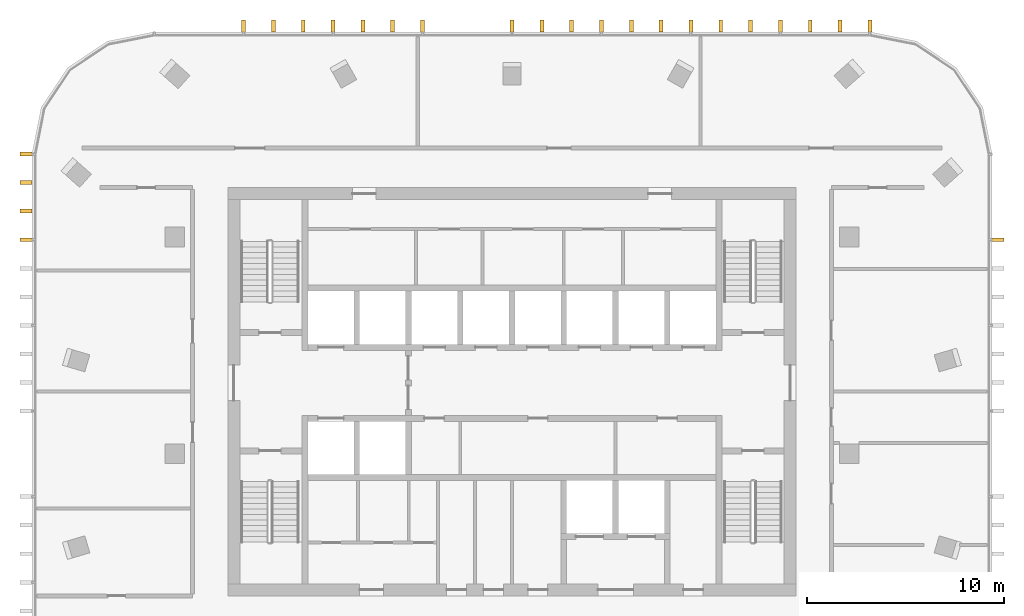
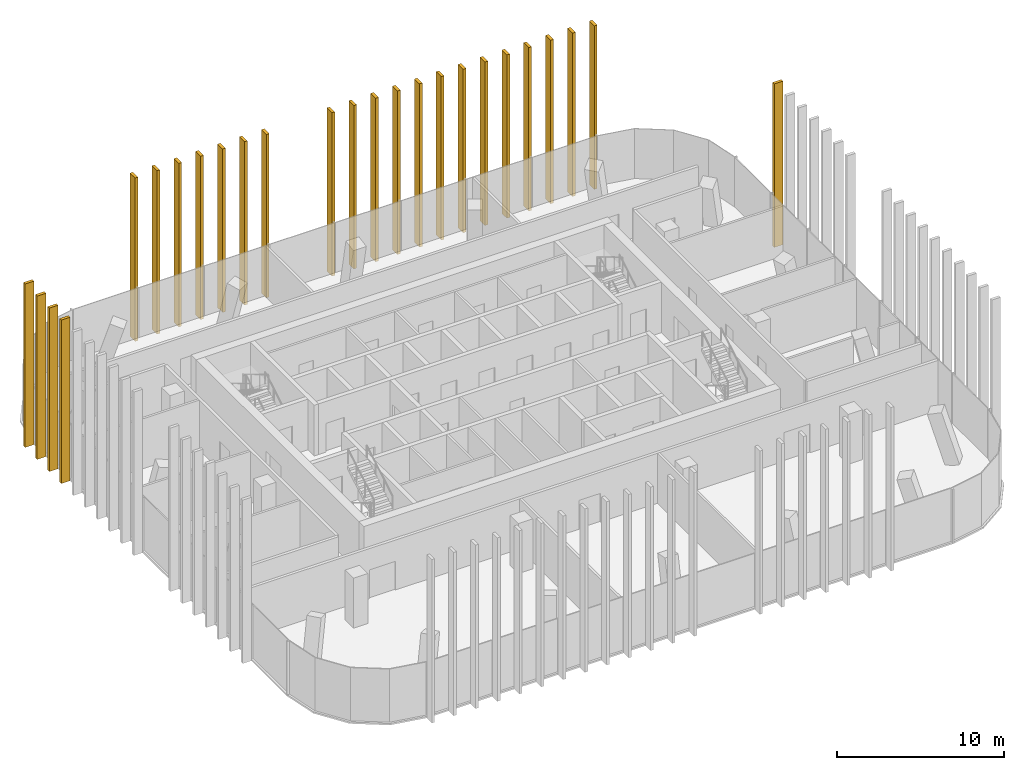
# One storey, part 13 of 13: 25 shading devices.
"""IFC4 building model written with IfcOpenShell, lengths in metres."""

from ifc_helpers import new_model, si_unit, direction, frame, origin, origin_2d, place, context, subcontext, project, spatial, rectangle, extrude, material, type_object, element, save


model = new_model("IFC4")

# Units and contexts
model_context = context("Model", 3, precision=1e-05, world=origin(), true_north=direction((0.0, 1.0)))
body_context = subcontext(model_context, "Body", "Model", "MODEL_VIEW")
ifc_project = project(units=[si_unit("LENGTHUNIT", "METRE"), si_unit("AREAUNIT", "SQUARE_METRE"), si_unit("VOLUMEUNIT", "CUBIC_METRE"), si_unit("PLANEANGLEUNIT", "RADIAN"), si_unit("MASSUNIT", "GRAM", prefix="KILO")], contexts=[model_context])

# Site, building, storey
site_placement = place(None, origin())
site = spatial("IfcSite", under=ifc_project, at=site_placement, CompositionType="ELEMENT")
building_placement = place(site_placement, origin())
building = spatial("IfcBuilding", under=site, at=building_placement, Name="Mopane Tessera Tower", CompositionType="ELEMENT")
storey_placement = place(building_placement, frame((0.0, 0.0, 345.39990234375)))
storey = spatial("IfcBuildingStorey", under=building, at=storey_placement, Name="L75", CompositionType="ELEMENT", Elevation=345.39990234375)

# Shading devices
ifc_material = material(Name="Glazed ceramic tile")
shading_device_type = type_object("IfcShadingDeviceType", Name="Ceramic tile fin 600 x 200 mm", PredefinedType="USERDEFINED", material=ifc_material)
for number, where, z_axis, x_axis, name in (
    (1, (24.64990234375, 10.857177734375, -0.35009765625), (0.0, 0.0, 1.0), (0.0, 1.0, 0.0), "e:fin:L75:E:5:3"),
    (2, (18.14990234375, 21.699951171875, -0.35009765625), (0.0, 0.0, 1.0), (-1.0, 0.0, 0.0), "e:fin:L75:N:0:0"),
    (3, (16.637451171875, 21.699951171875, -0.35009765625), (0.0, 0.0, 1.0), (-1.0, 0.0, 0.0), "e:fin:L75:N:0:1"),
    (4, (15.125, 21.699951171875, -0.35009765625), (0.0, 0.0, 1.0), (-1.0, 0.0, 0.0), "e:fin:L75:N:0:2"),
    (5, (13.612548828125, 21.699951171875, -0.35009765625), (0.0, 0.0, 1.0), (-1.0, 0.0, 0.0), "e:fin:L75:N:1:0"),
    (6, (12.10009765625, 21.699951171875, -0.35009765625), (0.0, 0.0, 1.0), (-1.0, 0.0, 0.0), "e:fin:L75:N:1:1"),
    (7, (10.58740234375, 21.699951171875, -0.35009765625), (0.0, 0.0, 1.0), (-1.0, 0.0, 0.0), "e:fin:L75:N:1:2"),
    (8, (9.074951171875, 21.699951171875, -0.35009765625), (0.0, 0.0, 1.0), (-1.0, 0.0, 0.0), "e:fin:L75:N:2:0"),
    (9, (7.5625, 21.699951171875, -0.35009765625), (0.0, 0.0, 1.0), (-1.0, 0.0, 0.0), "e:fin:L75:N:2:1"),
    (10, (6.050048828125, 21.699951171875, -0.35009765625), (0.0, 0.0, 1.0), (-1.0, 0.0, 0.0), "e:fin:L75:N:2:2"),
    (11, (4.53759765625, 21.699951171875, -0.35009765625), (0.0, 0.0, 1.0), (-1.0, 0.0, 0.0), "e:fin:L75:N:3:0"),
    (12, (3.02490234375, 21.699951171875, -0.35009765625), (0.0, 0.0, 1.0), (-1.0, 0.0, 0.0), "e:fin:L75:N:3:1"),
    (13, (1.512451171875, 21.699951171875, -0.35009765625), (0.0, 0.0, 1.0), (-1.0, 0.0, 0.0), "e:fin:L75:N:3:2"),
    (14, (0.0, 21.699951171875, -0.35009765625), (0.0, 0.0, 1.0), (-1.0, 0.0, 0.0), "e:fin:L75:N:3:3"),
    (15, (-4.53759765625, 21.699951171875, -0.35009765625), (0.0, 0.0, 1.0), (-1.0, 0.0, 0.0), "e:fin:L75:N:5:0"),
    (16, (-6.050048828125, 21.699951171875, -0.35009765625), (0.0, 0.0, 1.0), (-1.0, 0.0, 0.0), "e:fin:L75:N:5:1"),
    (17, (-7.5625, 21.699951171875, -0.35009765625), (0.0, 0.0, 1.0), (-1.0, 0.0, 0.0), "e:fin:L75:N:5:2"),
    (18, (-9.074951171875, 21.699951171875, -0.35009765625), (0.0, 0.0, 1.0), (-1.0, 0.0, 0.0), "e:fin:L75:N:6:0"),
    (19, (-10.58740234375, 21.699951171875, -0.35009765625), (0.0, 0.0, 1.0), (-1.0, 0.0, 0.0), "e:fin:L75:N:6:1"),
    (20, (-12.10009765625, 21.699951171875, -0.35009765625), (0.0, 0.0, 1.0), (-1.0, 0.0, 0.0), "e:fin:L75:N:6:2"),
    (21, (-13.612548828125, 21.699951171875, -0.35009765625), (0.0, 0.0, 1.0), (-1.0, 0.0, 0.0), "e:fin:L75:N:6:3"),
    (22, (-24.64990234375, 15.199951171875, -0.35009765625), (0.0, 0.0, 1.0), (0.0, -1.0, 0.0), "e:fin:L75:W:0:0"),
    (23, (-24.64990234375, 13.75244140625, -0.35009765625), (0.0, 0.0, 1.0), (0.0, -1.0, 0.0), "e:fin:L75:W:0:1"),
    (24, (-24.64990234375, 12.3046875, -0.35009765625), (0.0, 0.0, 1.0), (0.0, -1.0, 0.0), "e:fin:L75:W:0:2"),
    (25, (-24.64990234375, 10.857177734375, -0.35009765625), (0.0, 0.0, 1.0), (0.0, -1.0, 0.0), "e:fin:L75:W:1:0"),
):
    element("IfcShadingDevice", number, at=place(storey_placement, frame(where, z_axis=z_axis, x_axis=x_axis)), inside=storey, type_object=shading_device_type, Name=name, ObjectType="FIN", PredefinedType="USERDEFINED", context=body_context, shape_type="SweptSolid", body=[
        extrude(rectangle(XDim=0.199951171875, YDim=0.60009765625, at=origin_2d()), origin(), (0.0, 0.0, 1.0), 11.949951171875),
    ])

save(model, "model.ifc")
